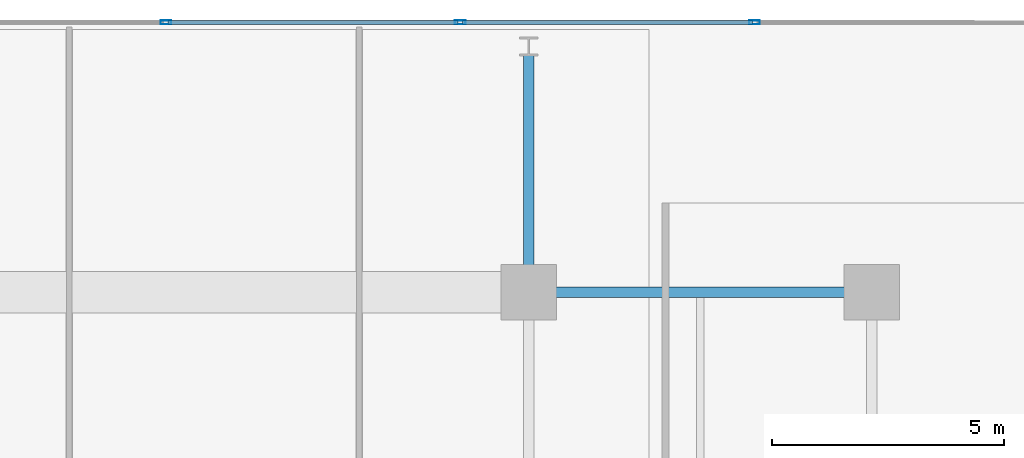
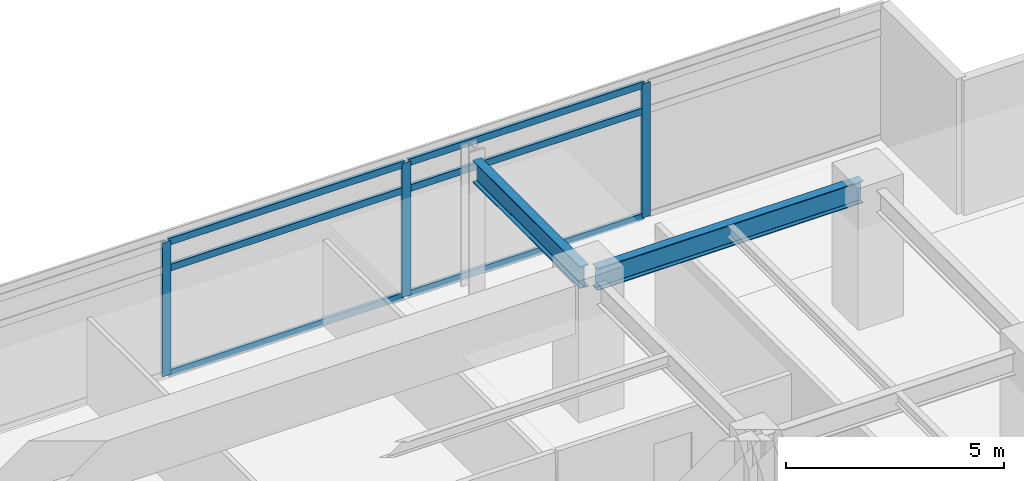
# One storey, part 13 of 23: 9 members, 2 beams, 1 element without a shape of its own.
"""IFC4 building model written with IfcOpenShell, lengths in metres."""

from ifc_helpers import new_model, si_unit, direction, frame, origin, origin_2d, place, context, subcontext, project, spatial, hollow_rectangle, i_section, extrude, material, material_profile, profile_set, type_object, element, aggregate, save


model = new_model("IFC4")

# Units and contexts
model_context = context("Model", 3, precision=1e-05, world=origin(), true_north=direction((0.0, 1.0)))
body_context = subcontext(model_context, "Body", "Model", "MODEL_VIEW")
ifc_project = project(units=[si_unit("LENGTHUNIT", "METRE"), si_unit("AREAUNIT", "SQUARE_METRE"), si_unit("VOLUMEUNIT", "CUBIC_METRE"), si_unit("PLANEANGLEUNIT", "RADIAN"), si_unit("MASSUNIT", "GRAM", prefix="KILO")], contexts=[model_context])

# Site, building, storey
site_placement = place(None, origin())
site = spatial("IfcSite", under=ifc_project, at=site_placement, CompositionType="ELEMENT")
building_placement = place(site_placement, origin())
building = spatial("IfcBuilding", under=site, at=building_placement, Name="Kovane Verandah Tower", CompositionType="ELEMENT")
storey_placement = place(building_placement, frame((0.0, 0.0, 267.199951171875)))
storey = spatial("IfcBuildingStorey", under=building, at=storey_placement, Name="L62", CompositionType="ELEMENT", Elevation=267.199951171875)

# Beams
ifc_material_1 = material(Name="Steel S355", Category="steel")
ifc_material_profile_1 = material_profile(ifc_material_1, i_section(OverallWidth=0.230224609375, OverallDepth=0.6171875, WebThickness=0.01318359375, FlangeThickness=0.022216796875, FilletRadius=0.0126953125, at=origin_2d()), Name="UB610x229x140")
ifc_profile_set_1 = profile_set([ifc_material_profile_1], Name="Steel S355")
beam_type = type_object("IfcBeamType", Name="BM-UB610x140", PredefinedType="BEAM", material=ifc_profile_set_1)
beam_1_placement = place(storey_placement, frame((51.179931640625, 44.199951171875, 3.4765625), z_axis=(1.0, 0.0, 0.0), x_axis=(0.0, 1.0, 0.0)))
element("IfcBeam", 1, at=beam_1_placement, inside=storey, type_object=beam_type, Name="L62 Primary Tower Girder G-RN3", PredefinedType="BEAM", context=body_context, shape_type="SweptSolid", body=[
    extrude(i_section(OverallWidth=0.230224609375, OverallDepth=0.6171875, WebThickness=0.01318359375, FlangeThickness=0.022216796875, FilletRadius=0.0126953125, at=origin_2d()), origin(), (0.0, 0.0, 1.0), 7.0400390625),
])
beam_2_placement = place(storey_placement, frame((51.0, 44.3798828125, 3.451416015625), z_axis=(0.0, 1.0, 0.0), x_axis=(-1.0, 0.0, 0.0)))
element("IfcBeam", 2, at=beam_2_placement, inside=storey, type_object=beam_type, Name="L62 Primary Tower Girder G-VN2", PredefinedType="BEAM", context=body_context, shape_type="SweptSolid", body=[
    extrude(i_section(OverallWidth=0.230224609375, OverallDepth=0.6171875, WebThickness=0.01318359375, FlangeThickness=0.022216796875, FilletRadius=0.0126953125, at=origin_2d()), origin(), (0.0, 0.0, 1.0), 4.940185546875),
])

# Curtain wall, members
ifc_material_2 = material(Name="Champagne Anodised Aluminium Frame with Low-E Clear Laminated Glass", Category="aluminium")
curtain_wall_type = type_object("IfcCurtainWallType", Name="CW-SYS-05-HIGH", PredefinedType="NOTDEFINED", material=ifc_material_2)
curtain_wall_placement = place(storey_placement, origin())
curtain_wall = element("IfcCurtainWall", 3, at=curtain_wall_placement, inside=storey, type_object=curtain_wall_type, Name="L62 N Unitised Curtain Wall", PredefinedType="NOTDEFINED")
ifc_material_3 = material(Name="Champagne Anodised Aluminium 6063-T6", Category="aluminium")
ifc_material_profile_2 = material_profile(ifc_material_3, hollow_rectangle(XDim=0.0849609375, YDim=0.22998046875, WallThickness=0.00390625, at=origin_2d()), Name="AL85x230x4")
ifc_profile_set_2 = profile_set([ifc_material_profile_2], Name="Champagne Anodised Aluminium 6063-T6")
member_type_1 = type_object("IfcMemberType", Name="CW-MUL-85x230", PredefinedType="MULLION", material=ifc_profile_set_2)
member_1_placement = place(storey_placement, frame((55.871826171875, 50.0234375, 0.02001953125), z_axis=(0.0, 0.0, 1.0), x_axis=(0.0, 1.0, 0.0)))
member_1 = element("IfcMember", 4, at=member_1_placement, type_object=member_type_1, Name="L62 N Unitised Curtain Wall Mullion 2", PredefinedType="MULLION", context=body_context, shape_type="SweptSolid", body=[
    extrude(hollow_rectangle(XDim=0.0849609375, YDim=0.22998046875, WallThickness=0.00390625, at=origin_2d()), origin(), (0.0, 0.0, 1.0), 3.7451171875),
])
member_2_placement = place(storey_placement, frame((49.523193359375, 50.0234375, 0.02001953125), z_axis=(0.0, 0.0, 1.0), x_axis=(0.0, 1.0, 0.0)))
member_2 = element("IfcMember", 5, at=member_2_placement, type_object=member_type_1, Name="L62 N Unitised Curtain Wall Mullion 3", PredefinedType="MULLION", context=body_context, shape_type="SweptSolid", body=[
    extrude(hollow_rectangle(XDim=0.0849609375, YDim=0.22998046875, WallThickness=0.00390625, at=origin_2d()), origin(), (0.0, 0.0, 1.0), 3.7451171875),
])
member_3_placement = place(storey_placement, frame((43.17431640625, 50.0234375, 0.02001953125), z_axis=(0.0, 0.0, 1.0), x_axis=(0.0, 1.0, 0.0)))
member_3 = element("IfcMember", 6, at=member_3_placement, type_object=member_type_1, Name="L62 N Unitised Curtain Wall Mullion 4", PredefinedType="MULLION", context=body_context, shape_type="SweptSolid", body=[
    extrude(hollow_rectangle(XDim=0.0849609375, YDim=0.22998046875, WallThickness=0.00390625, at=origin_2d()), origin(), (0.0, 0.0, 1.0), 3.7451171875),
])
ifc_material_profile_3 = material_profile(ifc_material_3, hollow_rectangle(XDim=0.0849609375, YDim=0.18994140625, WallThickness=0.00390625, at=origin_2d()), Name="AL85x190x4")
ifc_profile_set_3 = profile_set([ifc_material_profile_3], Name="Champagne Anodised Aluminium 6063-T6")
member_type_2 = type_object("IfcMemberType", Name="CW-TRN-85x190", PredefinedType="USERDEFINED", material=ifc_profile_set_3)
member_4_placement = place(storey_placement, frame((55.822021484375, 50.0234375, 0.050048828125), z_axis=(-1.0, 0.0, 0.0), x_axis=(0.0, -1.0, 0.0)))
member_4 = element("IfcMember", 7, at=member_4_placement, type_object=member_type_2, Name="L62 N Unitised Curtain Wall Transom TB Bay 2", ObjectType="TRANSOM", PredefinedType="USERDEFINED", context=body_context, shape_type="SweptSolid", body=[
    extrude(hollow_rectangle(XDim=0.0849609375, YDim=0.18994140625, WallThickness=0.00390625, at=origin_2d()), origin(), (0.0, 0.0, 1.0), 6.2490234375),
])
member_5_placement = place(storey_placement, frame((55.822021484375, 50.0234375, 3.005126953125), z_axis=(-1.0, 0.0, 0.0), x_axis=(0.0, -1.0, 0.0)))
member_5 = element("IfcMember", 8, at=member_5_placement, type_object=member_type_2, Name="L62 N Unitised Curtain Wall Transom TM Bay 2", ObjectType="TRANSOM", PredefinedType="USERDEFINED", context=body_context, shape_type="SweptSolid", body=[
    extrude(hollow_rectangle(XDim=0.0849609375, YDim=0.18994140625, WallThickness=0.00390625, at=origin_2d()), origin(), (0.0, 0.0, 1.0), 6.2490234375),
])
member_6_placement = place(storey_placement, frame((55.822021484375, 50.0234375, 3.735107421875), z_axis=(-1.0, 0.0, 0.0), x_axis=(0.0, -1.0, 0.0)))
member_6 = element("IfcMember", 9, at=member_6_placement, type_object=member_type_2, Name="L62 N Unitised Curtain Wall Transom TT Bay 2", ObjectType="TRANSOM", PredefinedType="USERDEFINED", context=body_context, shape_type="SweptSolid", body=[
    extrude(hollow_rectangle(XDim=0.0849609375, YDim=0.18994140625, WallThickness=0.00390625, at=origin_2d()), origin(), (0.0, 0.0, 1.0), 6.2490234375),
])
member_7_placement = place(storey_placement, frame((49.47314453125, 50.0234375, 0.050048828125), z_axis=(-1.0, 0.0, 0.0), x_axis=(0.0, -1.0, 0.0)))
member_7 = element("IfcMember", 10, at=member_7_placement, type_object=member_type_2, Name="L62 N Unitised Curtain Wall Transom TB Bay 3", ObjectType="TRANSOM", PredefinedType="USERDEFINED", context=body_context, shape_type="SweptSolid", body=[
    extrude(hollow_rectangle(XDim=0.0849609375, YDim=0.18994140625, WallThickness=0.00390625, at=origin_2d()), origin(), (0.0, 0.0, 1.0), 6.248779296875),
])
member_8_placement = place(storey_placement, frame((49.47314453125, 50.0234375, 3.005126953125), z_axis=(-1.0, 0.0, 0.0), x_axis=(0.0, -1.0, 0.0)))
member_8 = element("IfcMember", 11, at=member_8_placement, type_object=member_type_2, Name="L62 N Unitised Curtain Wall Transom TM Bay 3", ObjectType="TRANSOM", PredefinedType="USERDEFINED", context=body_context, shape_type="SweptSolid", body=[
    extrude(hollow_rectangle(XDim=0.0849609375, YDim=0.18994140625, WallThickness=0.00390625, at=origin_2d()), origin(), (0.0, 0.0, 1.0), 6.248779296875),
])
member_9_placement = place(storey_placement, frame((49.47314453125, 50.0234375, 3.735107421875), z_axis=(-1.0, 0.0, 0.0), x_axis=(0.0, -1.0, 0.0)))
member_9 = element("IfcMember", 12, at=member_9_placement, type_object=member_type_2, Name="L62 N Unitised Curtain Wall Transom TT Bay 3", ObjectType="TRANSOM", PredefinedType="USERDEFINED", context=body_context, shape_type="SweptSolid", body=[
    extrude(hollow_rectangle(XDim=0.0849609375, YDim=0.18994140625, WallThickness=0.00390625, at=origin_2d()), origin(), (0.0, 0.0, 1.0), 6.248779296875),
])
aggregate(curtain_wall, [member_1, member_2, member_3, member_4, member_5, member_6, member_7, member_8, member_9])

save(model, "model.ifc")
